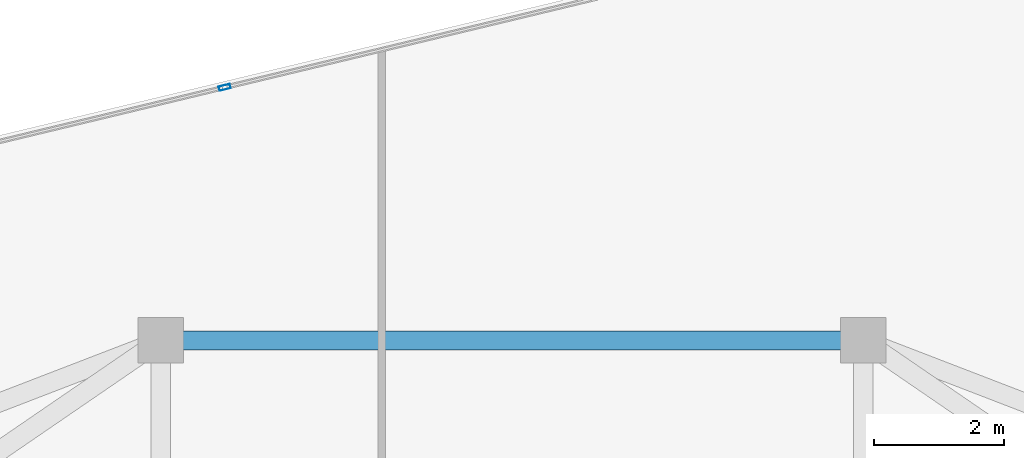
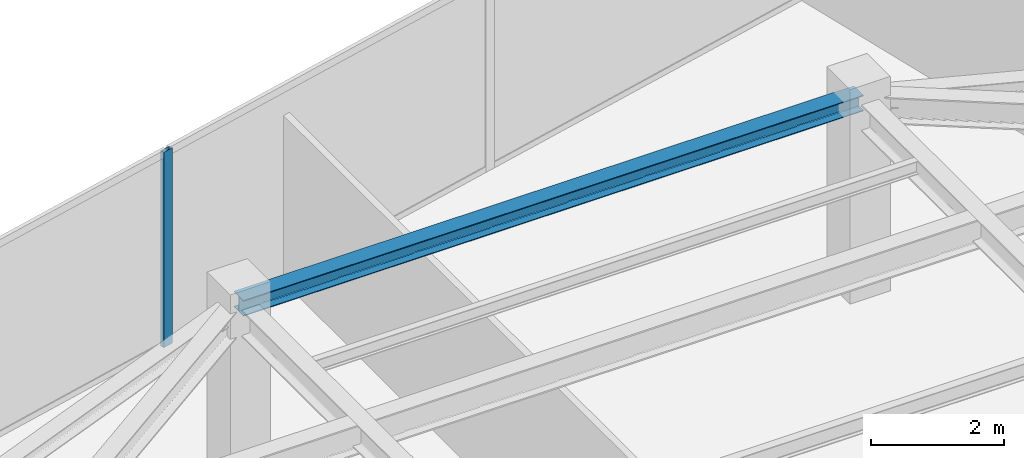
# One storey, part 14 of 22: 1 beam, 1 member, 1 element without a shape of its own.
"""IFC4 building model written with IfcOpenShell, lengths in metres."""

from ifc_helpers import new_model, si_unit, direction, frame, origin, origin_2d, place, context, subcontext, project, spatial, hollow_rectangle, i_section, extrude, source, transform, mapped, material, material_profile, profile_set, type_object, type_shapes, element, aggregate, save


model = new_model("IFC4")

# Units and contexts
model_context = context("Model", 3, precision=1e-05, world=origin(), true_north=direction((0.0, 1.0)))
body_context = subcontext(model_context, "Body", "Model", "MODEL_VIEW")
ifc_project = project(units=[si_unit("LENGTHUNIT", "METRE"), si_unit("AREAUNIT", "SQUARE_METRE"), si_unit("VOLUMEUNIT", "CUBIC_METRE"), si_unit("PLANEANGLEUNIT", "RADIAN"), si_unit("MASSUNIT", "GRAM", prefix="KILO")], contexts=[model_context])

# Site, building, storey
site_placement = place(None, origin())
site = spatial("IfcSite", under=ifc_project, at=site_placement, CompositionType="ELEMENT")
building_placement = place(site_placement, origin())
building = spatial("IfcBuilding", under=site, at=building_placement, Name="Krantzveldt Concourse Tower", CompositionType="ELEMENT")
storey_placement = place(building_placement, frame((0.0, 0.0, 359.300048828125)))
storey = spatial("IfcBuildingStorey", under=building, at=storey_placement, Name="L88", CompositionType="ELEMENT", Elevation=359.300048828125)

# Beam
ifc_material_1 = material(Name="Steel S355JR", Category="steel")
ifc_material_profile_1 = material_profile(ifc_material_1, i_section(OverallWidth=0.2900390625, OverallDepth=0.2900390625, WebThickness=0.008544921875, FlangeThickness=0.013916015625, FilletRadius=0.027099609375, at=origin_2d()), Name="Steel S355JR", Category="steel")
ifc_profile_set_1 = profile_set([ifc_material_profile_1], Name="Steel S355JR - HEA 300")
beam_type = type_object("IfcBeamType", Name="BM-SP-HEA300", PredefinedType="SPANDREL", material=ifc_profile_set_1)
shared_shape_1 = source(origin(), body_context, "Body", "SweptSolid", [
    extrude(i_section(OverallWidth=0.2900390625, OverallDepth=0.2900390625, WebThickness=0.008544921875, FlangeThickness=0.013916015625, FilletRadius=0.027099609375, at=origin_2d()), origin(), (0.0, 0.0, 1.0), 10.7998046875),
])
type_shapes(beam_type, [shared_shape_1])
beam_placement = place(storey_placement, frame((30.60009765625, 41.199951171875, 3.454833984375), z_axis=(1.0, 0.0, 0.0), x_axis=(0.0, 1.0, 0.0)))
element("IfcBeam", 1, at=beam_placement, inside=storey, type_object=beam_type, Name="L88 Tower Girder SP-R04", PredefinedType="SPANDREL", context=body_context, shape_type="MappedRepresentation", body=[
    mapped(shared_shape_1, transform((0.0, 0.0, 0.0), x_axis=(1.0, 0.0, 0.0), y_axis=(0.0, 1.0, 0.0), z_axis=(0.0, 0.0, 1.0), scale=1.0)),
])

# Curtain wall, member
ifc_material_2 = material(Name="Anodised aluminium 6063-T6", Category="aluminium")
curtain_wall_type = type_object("IfcCurtainWallType", Name="CW4", PredefinedType="USERDEFINED", material=ifc_material_2)
curtain_wall_placement = place(storey_placement, origin())
curtain_wall = element("IfcCurtainWall", 2, at=curtain_wall_placement, inside=storey, type_object=curtain_wall_type, Name="CW-L88-F01", ObjectType="UNITISED CURTAIN WALL", PredefinedType="USERDEFINED")
ifc_material_profile_2 = material_profile(ifc_material_2, hollow_rectangle(XDim=0.070068359375, YDim=0.179931640625, WallThickness=0.0048828125, at=origin_2d()), Name="Anodised aluminium 6063-T6", Category="aluminium")
ifc_profile_set_2 = profile_set([ifc_material_profile_2], Name="Anodised aluminium 6063-T6 - ALU-MULL 180x70x5")
member_type = type_object("IfcMemberType", Name="CW-MUL-180", PredefinedType="MULLION", material=ifc_profile_set_2)
shared_shape_2 = source(origin(), body_context, "Body", "SweptSolid", [
    extrude(hollow_rectangle(XDim=0.070068359375, YDim=0.179931640625, WallThickness=0.0048828125, at=origin_2d()), origin(), (0.0, 0.0, 1.0), 3.599853515625),
])
type_shapes(member_type, [shared_shape_2])
member_placement = place(storey_placement, frame((31.58544921875, 45.08740234375, 0.0), z_axis=(0.0, 0.0, 1.0), x_axis=(0.233445461796, -0.972369896884, 0.0)))
member = element("IfcMember", 3, at=member_placement, type_object=member_type, Name="CW-Z56 mullion 3", PredefinedType="MULLION", context=body_context, shape_type="MappedRepresentation", body=[
    mapped(shared_shape_2, transform((0.0, 0.0, 0.0), x_axis=(1.0, 0.0, 0.0), y_axis=(0.0, 1.0, 0.0), z_axis=(0.0, 0.0, 1.0), scale=1.0)),
])
aggregate(curtain_wall, [member])

save(model, "model.ifc")
